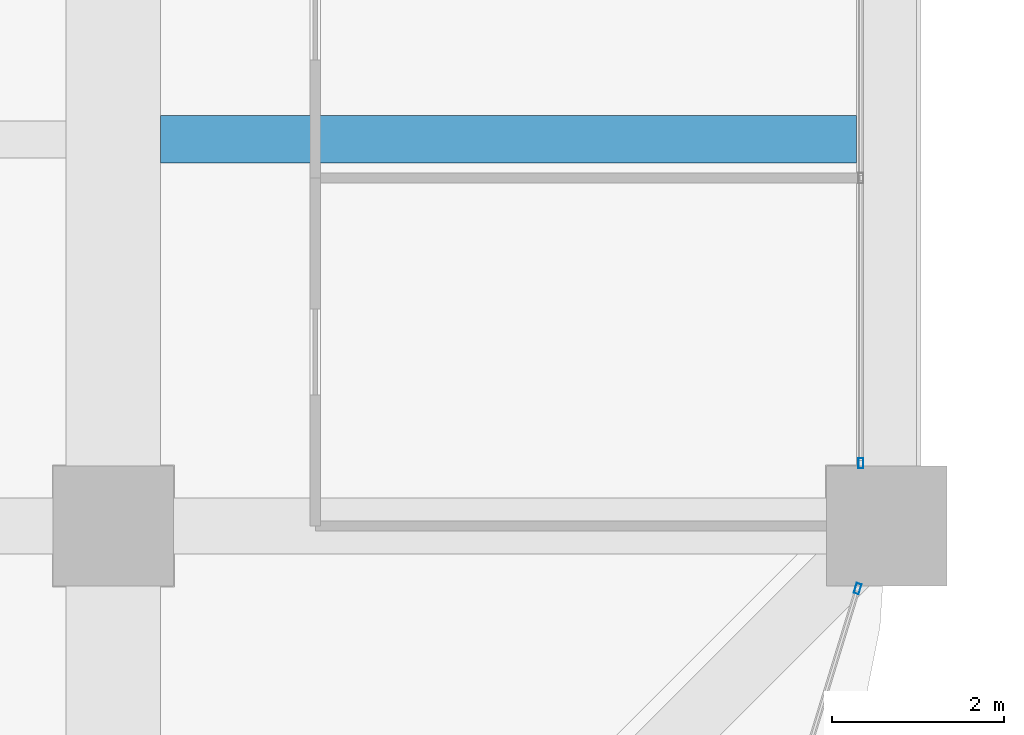
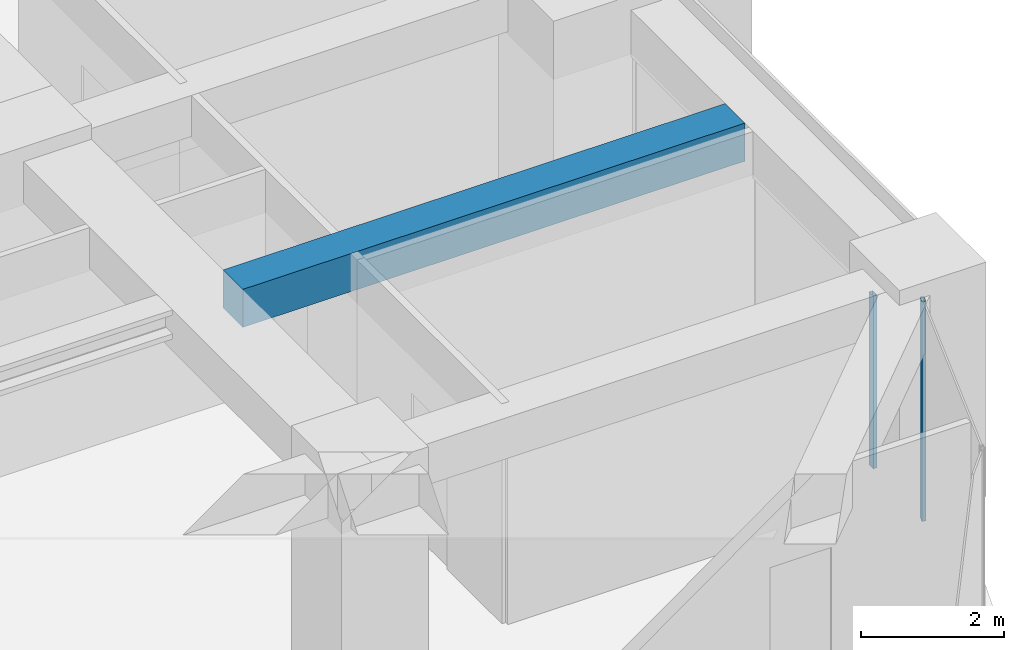
# One storey, part 21 of 43: 2 members, 1 beam, 2 elements without a shape of their own.
"""IFC4 building model written with IfcOpenShell, lengths in metres."""

from ifc_helpers import new_model, si_unit, direction, frame, origin, origin_2d, place, context, subcontext, project, spatial, rectangle, hollow_rectangle, extrude, material, material_profile, profile_set, type_object, element, aggregate, save


model = new_model("IFC4")

# Units and contexts
model_context = context("Model", 3, precision=1e-05, world=origin(), true_north=direction((0.0, 1.0)))
body_context = subcontext(model_context, "Body", "Model", "MODEL_VIEW")
ifc_project = project(units=[si_unit("LENGTHUNIT", "METRE"), si_unit("AREAUNIT", "SQUARE_METRE"), si_unit("VOLUMEUNIT", "CUBIC_METRE"), si_unit("PLANEANGLEUNIT", "RADIAN"), si_unit("MASSUNIT", "GRAM", prefix="KILO")], contexts=[model_context])

# Site, building, storey
site_placement = place(None, origin())
site = spatial("IfcSite", under=ifc_project, at=site_placement, CompositionType="ELEMENT")
building_placement = place(site_placement, origin())
building = spatial("IfcBuilding", under=site, at=building_placement, Name="Zorevar Civic Tower", CompositionType="ELEMENT")
storey_placement = place(building_placement, frame((0.0, 0.0, 243.39990234375)))
storey = spatial("IfcBuildingStorey", under=building, at=storey_placement, Name="L59", CompositionType="ELEMENT", Elevation=243.39990234375)

# Beam
ifc_material_1 = material(Name="Concrete C50/60", Category="concrete")
ifc_material_profile_1 = material_profile(ifc_material_1, rectangle(XDim=0.550048828125, YDim=0.64990234375, at=origin_2d()), Name="RC 550x650")
ifc_profile_set_1 = profile_set([ifc_material_profile_1], Name="Concrete C50/60")
beam_type = type_object("IfcBeamType", Name="Beam RC 550x650", PredefinedType="BEAM", material=ifc_profile_set_1)
beam_placement = place(storey_placement, frame((45.550048828125, 13.5, 3.425048828125), z_axis=(1.0, 0.0, 0.0), x_axis=(0.0, 1.0, 0.0)))
element("IfcBeam", 1, at=beam_placement, inside=storey, type_object=beam_type, Name="Secondary beam L60", PredefinedType="BEAM", context=body_context, shape_type="SweptSolid", body=[
    extrude(rectangle(XDim=0.550048828125, YDim=0.64990234375, at=origin_2d()), origin(), (0.0, 0.0, 1.0), 8.099853515625),
])

# Curtain wall, member
ifc_material_2 = material(Name="Dark grey solar-control glass in black aluminium frame", Category="aluminium")
curtain_wall_type = type_object("IfcCurtainWallType", Name="Curtain wall CW5 top zone", PredefinedType="NOTDEFINED", material=ifc_material_2)
curtain_wall_1_placement = place(storey_placement, origin())
curtain_wall_1 = element("IfcCurtainWall", 2, at=curtain_wall_1_placement, inside=storey, type_object=curtain_wall_type, Name="CW5 L59", PredefinedType="NOTDEFINED")
ifc_material_3 = material(Name="Aluminium, black anodised", Category="aluminium")
ifc_material_profile_2 = material_profile(ifc_material_3, hollow_rectangle(XDim=0.06005859375, YDim=0.1201171875, WallThickness=0.0029296875, at=origin_2d()), Name="AL 120x60x3")
ifc_profile_set_2 = profile_set([ifc_material_profile_2], Name="Aluminium, black anodised")
member_type = type_object("IfcMemberType", Name="CW5 mullion AL 120x60x3", PredefinedType="MULLION", material=ifc_profile_set_2)
member_1_placement = place(storey_placement, frame((53.699951171875, 9.72998046875, 0.0), z_axis=(0.0, 0.0, 1.0), x_axis=(-1.0, 0.0, 0.0)))
member_1 = element("IfcMember", 3, at=member_1_placement, type_object=member_type, Name="CW5 mullion 1", PredefinedType="MULLION", context=body_context, shape_type="SweptSolid", body=[
    extrude(hollow_rectangle(XDim=0.06005859375, YDim=0.1201171875, WallThickness=0.0029296875, at=origin_2d()), origin(), (0.0, 0.0, 1.0), 2.9501953125),
])
aggregate(curtain_wall_1, [member_1])

curtain_wall_2_placement = place(storey_placement, origin())
curtain_wall_2 = element("IfcCurtainWall", 4, at=curtain_wall_2_placement, inside=storey, type_object=curtain_wall_type, Name="CW5 L59", PredefinedType="NOTDEFINED")
member_2_placement = place(storey_placement, frame((53.662841796875, 8.271240234375, 0.0), z_axis=(0.0, 0.0, 1.0), x_axis=(-0.955900106839, 0.293691991287, 0.0)))
member_2 = element("IfcMember", 5, at=member_2_placement, type_object=member_type, Name="CW5 mullion 2", PredefinedType="MULLION", context=body_context, shape_type="SweptSolid", body=[
    extrude(hollow_rectangle(XDim=0.06005859375, YDim=0.1201171875, WallThickness=0.0029296875, at=origin_2d()), origin(), (0.0, 0.0, 1.0), 3.75),
])
aggregate(curtain_wall_2, [member_2])

save(model, "model.ifc")
